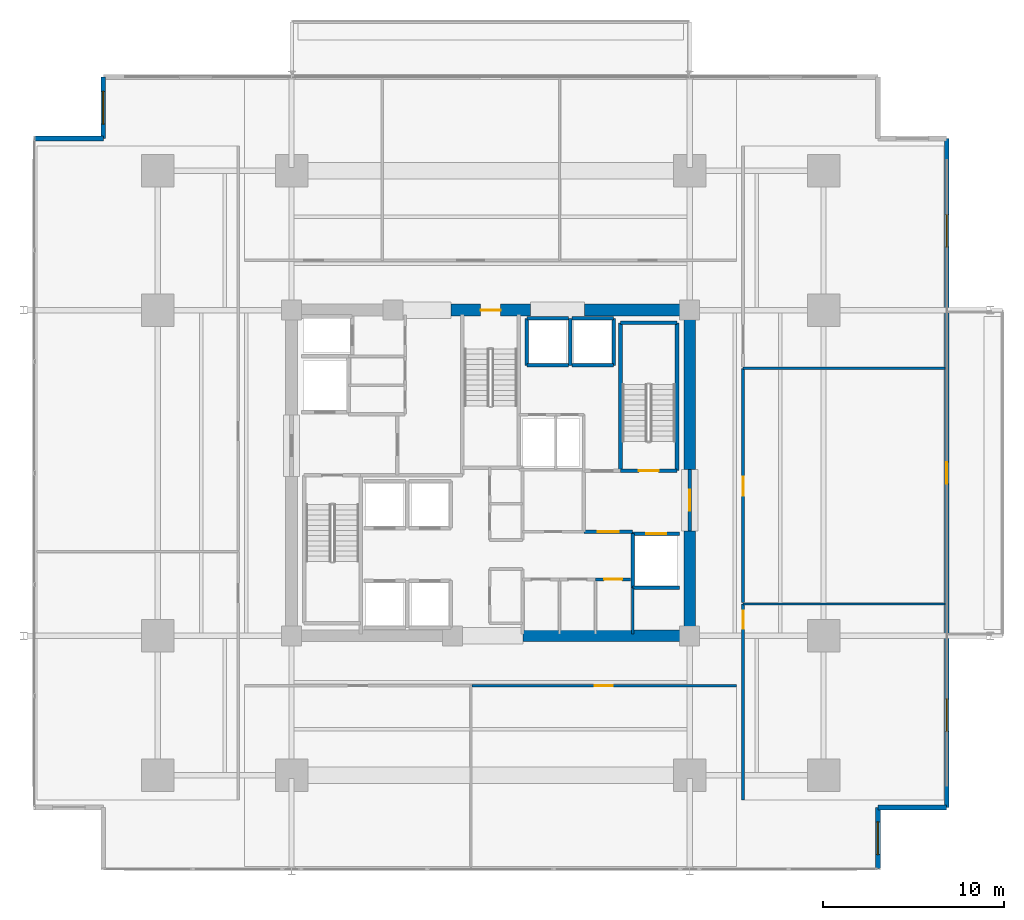
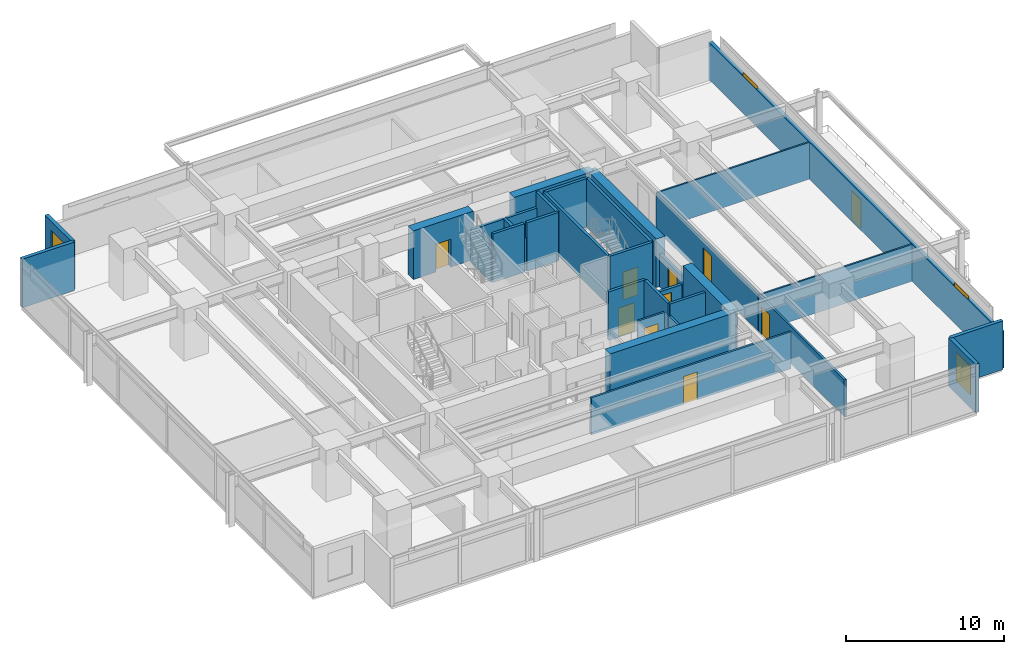
# One storey, part 15 of 20: 33 walls, 10 doors, 4 windows, 14 openings.
"""IFC4 building model written with IfcOpenShell, lengths in metres."""

from ifc_helpers import new_model, si_unit, direction, frame, frame_2d, origin, place, context, subcontext, project, spatial, rectangle, extrude, material, layer, layer_set, type_object, element, fill, save


model = new_model("IFC4")

# Units and contexts
model_context = context("Model", 3, precision=1e-05, world=origin(), true_north=direction((0.0, 1.0)))
body_context = subcontext(model_context, "Body", "Model", "MODEL_VIEW")
ifc_project = project(units=[si_unit("LENGTHUNIT", "METRE"), si_unit("AREAUNIT", "SQUARE_METRE"), si_unit("VOLUMEUNIT", "CUBIC_METRE"), si_unit("PLANEANGLEUNIT", "RADIAN"), si_unit("MASSUNIT", "GRAM", prefix="KILO")], contexts=[model_context])

# Site, building, storey
site_placement = place(None, origin())
site = spatial("IfcSite", under=ifc_project, at=site_placement, CompositionType="ELEMENT")
building_placement = place(site_placement, origin())
building = spatial("IfcBuilding", under=site, at=building_placement, Name="Kovane Verandah Tower", CompositionType="ELEMENT")
storey_placement = place(building_placement, frame((0.0, 0.0, 39.60009765625)))
storey = spatial("IfcBuildingStorey", under=building, at=storey_placement, Name="L08", CompositionType="ELEMENT", Elevation=39.60009765625)

# Wall
ifc_material_1 = material(Name="Fire-Rated Gypsum Stud Partition", Category="gypsum")
ifc_layer_1 = layer(ifc_material_1, 0.14990234375)
ifc_layer_set_1 = layer_set([ifc_layer_1], Name="Fire-Rated Gypsum Stud Partition")
wall_type_1 = type_object("IfcWallType", Name="WL-COR-150", PredefinedType="PARTITIONING", material=ifc_layer_set_1)
wall_1_placement = place(storey_placement, frame((47.85009765625, 18.60009765625, 0.0), z_axis=(0.0, 0.0, 1.0), x_axis=(0.0, 1.0, 0.0)))
element("IfcWall", 1, at=wall_1_placement, inside=storey, type_object=wall_type_1, Name="L08 East Core Support East Wall", PredefinedType="PARTITIONING", context=body_context, shape_type="SweptSolid", body=[
    extrude(rectangle(XDim=2.539794921875, YDim=0.14990234375, at=frame_2d((1.27001953125, 0.0))), origin(), (0.0, 0.0, 1.0), 2.849853515625),
])

# Wall, opening, door
wall_2_placement = place(storey_placement, frame((45.800048828125, 21.6201171875, 0.0), z_axis=(0.0, 0.0, 1.0), x_axis=(1.0, 0.0, 0.0)))
wall_2 = element("IfcWall", 2, at=wall_2_placement, inside=storey, type_object=wall_type_1, Name="L08 Quiet Wellness Room Partition", PredefinedType="PARTITIONING", context=body_context, shape_type="SweptSolid", body=[
    extrude(rectangle(XDim=1.93994140625, YDim=0.14990234375, at=frame_2d((0.969970703125, 0.0))), origin(), (0.0, 0.0, 1.0), 2.849853515625),
])
opening_1_placement = place(wall_2_placement, frame((0.469970703125, 0.0, 0.0)))
opening_1 = element("IfcOpeningElement", 3, at=opening_1_placement, cuts=wall_2, Name="Opening DR-L08-018", PredefinedType="OPENING", context=body_context, shape_type="SweptSolid", body=[
    extrude(rectangle(XDim=1.0, YDim=2.14990234375, at=frame_2d((0.5, 1.074951171875))), frame((0.0, 0.074951171875, 0.0), z_axis=(0.0, -1.0, 0.0), x_axis=(1.0, 0.0, 0.0)), (0.0, 0.0, 1.0), 0.14990234375),
])
ifc_material_2 = material(Name="FSC Spotted-Gum Timber Fire-Rated Office Door", Category="wood")
door_type_1 = type_object("IfcDoorType", Name="DR-OFF-1000", OperationType="SINGLE_SWING_LEFT", PredefinedType="DOOR", material=ifc_material_2)
door_1_placement = place(opening_1_placement, origin())
door_1 = element("IfcDoor", 4, at=door_1_placement, inside=storey, type_object=door_type_1, Name="L08 Quiet Wellness Room Door", OperationType="SINGLE_SWING_RIGHT", OverallHeight=2.14990234375, OverallWidth=1.0, PredefinedType="DOOR", context=body_context, shape_type="SweptSolid", body=[
    extrude(rectangle(XDim=1.0, YDim=2.14990234375, at=frame_2d((0.5, 1.074951171875))), frame((0.0, 0.02490234375, 0.0), z_axis=(0.0, -1.0, 0.0), x_axis=(1.0, 0.0, 0.0)), (0.0, 0.0, 1.0), 0.050048828125),
])
fill(opening_1, door_1)

wall_3_placement = place(storey_placement, frame((38.98193359375, 15.75, 0.0), z_axis=(0.0, 0.0, 1.0), x_axis=(1.0, 0.0, 0.0)))
wall_3 = element("IfcWall", 5, at=wall_3_placement, inside=storey, type_object=wall_type_1, Name="L08 Breakout Pantry S2 Corridor Partition", PredefinedType="PARTITIONING", context=body_context, shape_type="SweptSolid", body=[
    extrude(rectangle(XDim=14.6181640625, YDim=0.14990234375, at=frame_2d((7.30908203125, 0.0))), origin(), (0.0, 0.0, 1.0), 2.849853515625),
])
opening_2_placement = place(wall_3_placement, frame((6.759033203125, 0.0, 0.0)))
opening_2 = element("IfcOpeningElement", 6, at=opening_2_placement, cuts=wall_3, Name="Opening DR-L08-026", PredefinedType="OPENING", context=body_context, shape_type="SweptSolid", body=[
    extrude(rectangle(XDim=1.0, YDim=2.14990234375, at=frame_2d((0.5, 1.074951171875))), frame((0.0, 0.074951171875, 0.0), z_axis=(0.0, -1.0, 0.0), x_axis=(1.0, 0.0, 0.0)), (0.0, 0.0, 1.0), 0.14990234375),
])
door_2_placement = place(opening_2_placement, origin())
door_2 = element("IfcDoor", 7, at=door_2_placement, inside=storey, type_object=door_type_1, Name="L08 Breakout Pantry S2 Entrance Door", OperationType="SINGLE_SWING_RIGHT", OverallHeight=2.14990234375, OverallWidth=1.0, PredefinedType="DOOR", context=body_context, shape_type="SweptSolid", body=[
    extrude(rectangle(XDim=1.0, YDim=2.14990234375, at=frame_2d((0.5, 1.074951171875))), frame((0.0, 0.02490234375, 0.0), z_axis=(0.0, -1.0, 0.0), x_axis=(1.0, 0.0, 0.0)), (0.0, 0.0, 1.0), 0.050048828125),
])
fill(opening_2, door_2)

wall_4_placement = place(storey_placement, frame((53.949951171875, 9.417724609375, 0.0), z_axis=(0.0, 0.0, 1.0), x_axis=(0.0, 1.0, 0.0)))
wall_4 = element("IfcWall", 8, at=wall_4_placement, inside=storey, type_object=wall_type_1, Name="L08 Open Plan Office E1 Corridor Partition", PredefinedType="PARTITIONING", context=body_context, shape_type="SweptSolid", body=[
    extrude(rectangle(XDim=10.849365234375, YDim=0.14990234375, at=frame_2d((5.4248046875, 0.0))), origin(), (0.0, 0.0, 1.0), 2.849853515625),
])
opening_3_placement = place(wall_4_placement, frame((9.480712890625, 0.0, 0.0)))
opening_3 = element("IfcOpeningElement", 9, at=opening_3_placement, cuts=wall_4, Name="Opening DR-L08-013", PredefinedType="OPENING", context=body_context, shape_type="SweptSolid", body=[
    extrude(rectangle(XDim=1.0, YDim=2.14990234375, at=frame_2d((0.5, 1.074951171875))), frame((0.0, 0.074951171875, 0.0), z_axis=(0.0, -1.0, 0.0), x_axis=(1.0, 0.0, 0.0)), (0.0, 0.0, 1.0), 0.14990234375),
])
door_3_placement = place(opening_3_placement, origin())
door_3 = element("IfcDoor", 10, at=door_3_placement, inside=storey, type_object=door_type_1, Name="L08 Open Plan Office E1 Entrance Door", OperationType="SINGLE_SWING_LEFT", OverallHeight=2.14990234375, OverallWidth=1.0, PredefinedType="DOOR", context=body_context, shape_type="SweptSolid", body=[
    extrude(rectangle(XDim=1.0, YDim=2.14990234375, at=frame_2d((0.5, 1.074951171875))), frame((0.0, 0.02490234375, 0.0), z_axis=(0.0, -1.0, 0.0), x_axis=(1.0, 0.0, 0.0)), (0.0, 0.0, 1.0), 0.050048828125),
])
fill(opening_3, door_3)

wall_5_placement = place(storey_placement, frame((53.949951171875, 20.337158203125, 0.0), z_axis=(0.0, 0.0, 1.0), x_axis=(0.0, 1.0, 0.0)))
wall_5 = element("IfcWall", 11, at=wall_5_placement, inside=storey, type_object=wall_type_1, Name="L08 Executive Office E2 Corridor Partition", PredefinedType="PARTITIONING", context=body_context, shape_type="SweptSolid", body=[
    extrude(rectangle(XDim=12.94921875, YDim=0.14990234375, at=frame_2d((6.474609375, 0.0))), origin(), (0.0, 0.0, 1.0), 2.849853515625),
])
opening_4_placement = place(wall_5_placement, frame((5.91455078125, 0.0, 0.0)))
opening_4 = element("IfcOpeningElement", 12, at=opening_4_placement, cuts=wall_5, Name="Opening DR-L08-014", PredefinedType="OPENING", context=body_context, shape_type="SweptSolid", body=[
    extrude(rectangle(XDim=1.050048828125, YDim=2.199951171875, at=frame_2d((0.52490234375, 1.10009765625))), frame((0.0, 0.074951171875, 0.0), z_axis=(0.0, -1.0, 0.0), x_axis=(1.0, 0.0, 0.0)), (0.0, 0.0, 1.0), 0.14990234375),
])
ifc_material_3 = material(Name="FSC Blackbutt Timber Fire-Rated Executive Door", Category="wood")
door_type_2 = type_object("IfcDoorType", Name="DR-EXEC-1050", OperationType="SINGLE_SWING_LEFT", PredefinedType="DOOR", material=ifc_material_3)
door_4_placement = place(opening_4_placement, origin())
door_4 = element("IfcDoor", 13, at=door_4_placement, inside=storey, type_object=door_type_2, Name="L08 Executive Office E2 Entrance Door", OperationType="SINGLE_SWING_RIGHT", OverallHeight=2.199951171875, OverallWidth=1.050048828125, PredefinedType="DOOR", context=body_context, shape_type="SweptSolid", body=[
    extrude(rectangle(XDim=1.050048828125, YDim=2.199951171875, at=frame_2d((0.52490234375, 1.10009765625))), frame((0.0, 0.02490234375, 0.0), z_axis=(0.0, -1.0, 0.0), x_axis=(1.0, 0.0, 0.0)), (0.0, 0.0, 1.0), 0.050048828125),
])
fill(opening_4, door_4)

# Wall
ifc_material_4 = material(Name="Concrete C80/95", Category="concrete")
ifc_layer_2 = layer(ifc_material_4, 0.64990234375)
ifc_layer_set_2 = layer_set([ifc_layer_2], Name="Concrete C80/95")
wall_type_2 = type_object("IfcWallType", Name="WL-CORE-650", PredefinedType="SHEAR", material=ifc_layer_set_2)
wall_6_placement = place(storey_placement, frame((41.800048828125, 18.5, 0.0), z_axis=(0.0, 0.0, 1.0), x_axis=(1.0, 0.0, 0.0)))
element("IfcWall", 14, at=wall_6_placement, inside=storey, type_object=wall_type_2, Name="L08 Core Shear Wall CS-2", PredefinedType="SHEAR", context=body_context, shape_type="SweptSolid", body=[
    extrude(rectangle(XDim=9.199951171875, YDim=0.64990234375, at=frame_2d((4.60009765625, 0.0))), origin(), (0.0, 0.0, 1.0), 3.760009765625),
])

# Wall, opening, door
wall_7_placement = place(storey_placement, frame((37.800048828125, 36.5, 0.0), z_axis=(0.0, 0.0, 1.0), x_axis=(1.0, 0.0, 0.0)))
wall_7 = element("IfcWall", 15, at=wall_7_placement, inside=storey, type_object=wall_type_2, Name="L08 Core Shear Wall CN-2", PredefinedType="SHEAR", context=body_context, shape_type="SweptSolid", body=[
    extrude(rectangle(XDim=4.39990234375, YDim=0.64990234375, at=frame_2d((2.199951171875, 0.0))), origin(), (0.0, 0.0, 1.0), 3.760009765625),
])
opening_5_placement = place(wall_7_placement, frame((1.64990234375, 0.0, 0.0)))
opening_5 = element("IfcOpeningElement", 16, at=opening_5_placement, cuts=wall_7, Name="Opening DR-L08-011", PredefinedType="OPENING", context=body_context, shape_type="SweptSolid", body=[
    extrude(rectangle(XDim=1.10009765625, YDim=2.14990234375, at=frame_2d((0.550048828125, 1.074951171875))), frame((0.0, 0.324951171875, 0.0), z_axis=(0.0, -1.0, 0.0), x_axis=(1.0, 0.0, 0.0)), (0.0, 0.0, 1.0), 0.64990234375),
])
ifc_material_5 = material(Name="Fire-Rated Steel Exit Door", Category="steel")
door_type_3 = type_object("IfcDoorType", Name="DR-STAIR-1100", OperationType="SINGLE_SWING_LEFT", PredefinedType="DOOR", material=ifc_material_5)
door_5_placement = place(opening_5_placement, origin())
door_5 = element("IfcDoor", 17, at=door_5_placement, inside=storey, type_object=door_type_3, Name="L08 ST-03 Fire Exit Stair Door", OperationType="SINGLE_SWING_LEFT", OverallHeight=2.14990234375, OverallWidth=1.10009765625, PredefinedType="DOOR", context=body_context, shape_type="SweptSolid", body=[
    extrude(rectangle(XDim=1.10009765625, YDim=2.14990234375, at=frame_2d((0.550048828125, 1.074951171875))), frame((0.0, 0.02490234375, 0.0), z_axis=(0.0, -1.0, 0.0), x_axis=(1.0, 0.0, 0.0)), (0.0, 0.0, 1.0), 0.050048828125),
])
fill(opening_5, door_5)

# Walls
for number, where, z_axis, x_axis, name in (
    (18, (45.199951171875, 36.5, 0.0), (0.0, 0.0, 1.0), (1.0, 0.0, 0.0), "L08 Core Shear Wall CN-3"),
    (19, (51.0, 18.5, 0.0), (0.0, 0.0, 1.0), (0.0, 1.0, 0.0), "L08 Core Shear Wall CE-1"),
):
    element("IfcWall", number, at=place(storey_placement, frame(where, z_axis=z_axis, x_axis=x_axis)), inside=storey, type_object=wall_type_2, Name=name, PredefinedType="SHEAR", context=body_context, shape_type="SweptSolid", body=[
        extrude(rectangle(XDim=5.800048828125, YDim=0.64990234375, at=frame_2d((2.89990234375, 0.0))), origin(), (0.0, 0.0, 1.0), 3.760009765625),
    ])
wall_8_placement = place(storey_placement, frame((51.0, 27.699951171875, 0.0), z_axis=(0.0, 0.0, 1.0), x_axis=(0.0, 1.0, 0.0)))
element("IfcWall", 20, at=wall_8_placement, inside=storey, type_object=wall_type_2, Name="L08 Core Shear Wall CE-2", PredefinedType="SHEAR", context=body_context, shape_type="SweptSolid", body=[
    extrude(rectangle(XDim=8.800048828125, YDim=0.64990234375, at=frame_2d((4.39990234375, 0.0))), origin(), (0.0, 0.0, 1.0), 3.760009765625),
])

# Wall, opening, door
ifc_material_6 = material(Name="Concrete C45/55 Fire Wall", Category="concrete")
ifc_layer_3 = layer(ifc_material_6, 0.199951171875)
ifc_layer_set_3 = layer_set([ifc_layer_3], Name="Concrete C45/55 Fire Wall")
wall_type_3 = type_object("IfcWallType", Name="WL-FFL-200", PredefinedType="PARTITIONING", material=ifc_layer_set_3)
wall_9_placement = place(storey_placement, frame((45.14990234375, 24.25, 0.0), z_axis=(0.0, 0.0, 1.0), x_axis=(1.0, 0.0, 0.0)))
wall_9 = element("IfcWall", 21, at=wall_9_placement, inside=storey, type_object=wall_type_3, Name="W-L08-FFLE-S", PredefinedType="PARTITIONING", context=body_context, shape_type="SweptSolid", body=[
    extrude(rectangle(XDim=2.7001953125, YDim=0.199951171875, at=frame_2d((1.35009765625, 0.0))), origin(), (0.0, 0.0, 1.0), 3.760009765625),
])
opening_6_placement = place(wall_9_placement, frame((0.77490234375, 0.0, 0.0)))
opening_6 = element("IfcOpeningElement", 22, at=opening_6_placement, cuts=wall_9, Name="Opening DR-L08-003", PredefinedType="OPENING", context=body_context, shape_type="SweptSolid", body=[
    extrude(rectangle(XDim=1.14990234375, YDim=2.199951171875, at=frame_2d((0.574951171875, 1.10009765625))), frame((0.0, 0.10009765625, 0.0), z_axis=(0.0, -1.0, 0.0), x_axis=(1.0, 0.0, 0.0)), (0.0, 0.0, 1.0), 0.199951171875),
])
ifc_material_7 = material(Name="Smoke-Sealed Firefighting Lobby Door", Category="steel")
door_type_4 = type_object("IfcDoorType", Name="DR-FFL-1150", OperationType="SINGLE_SWING_LEFT", PredefinedType="DOOR", material=ifc_material_7)
door_6_placement = place(opening_6_placement, origin())
door_6 = element("IfcDoor", 23, at=door_6_placement, inside=storey, type_object=door_type_4, Name="L08 East Firefighting Lobby Inner Door", OperationType="SINGLE_SWING_RIGHT", OverallHeight=2.199951171875, OverallWidth=1.14990234375, PredefinedType="DOOR", context=body_context, shape_type="SweptSolid", body=[
    extrude(rectangle(XDim=1.14990234375, YDim=2.199951171875, at=frame_2d((0.574951171875, 1.10009765625))), frame((0.0, 0.02490234375, 0.0), z_axis=(0.0, -1.0, 0.0), x_axis=(1.0, 0.0, 0.0)), (0.0, 0.0, 1.0), 0.050048828125),
])
fill(opening_6, door_6)

wall_10_placement = place(storey_placement, frame((51.0, 24.300048828125, 0.0), z_axis=(0.0, 0.0, 1.0), x_axis=(0.0, 1.0, 0.0)))
wall_10 = element("IfcWall", 24, at=wall_10_placement, inside=storey, type_object=wall_type_3, Name="W-L08-FFLE-OUT", PredefinedType="PARTITIONING", context=body_context, shape_type="SweptSolid", body=[
    extrude(rectangle(XDim=3.39990234375, YDim=0.199951171875, at=frame_2d((1.699951171875, 0.0))), origin(), (0.0, 0.0, 1.0), 2.539794921875),
])
opening_7_placement = place(wall_10_placement, frame((1.125, 0.0, 0.0)))
opening_7 = element("IfcOpeningElement", 25, at=opening_7_placement, cuts=wall_10, Name="Opening DR-L08-005", PredefinedType="OPENING", context=body_context, shape_type="SweptSolid", body=[
    extrude(rectangle(XDim=1.14990234375, YDim=2.199951171875, at=frame_2d((0.574951171875, 1.10009765625))), frame((0.0, 0.10009765625, 0.0), z_axis=(0.0, -1.0, 0.0), x_axis=(1.0, 0.0, 0.0)), (0.0, 0.0, 1.0), 0.199951171875),
])
door_7_placement = place(opening_7_placement, origin())
door_7 = element("IfcDoor", 26, at=door_7_placement, inside=storey, type_object=door_type_4, Name="L08 East Firefighting Lobby Corridor Door", OperationType="SINGLE_SWING_LEFT", OverallHeight=2.199951171875, OverallWidth=1.14990234375, PredefinedType="DOOR", context=body_context, shape_type="SweptSolid", body=[
    extrude(rectangle(XDim=1.14990234375, YDim=2.199951171875, at=frame_2d((0.574951171875, 1.10009765625))), frame((0.0, 0.02490234375, 0.0), z_axis=(0.0, -1.0, 0.0), x_axis=(1.0, 0.0, 0.0)), (0.0, 0.0, 1.0), 0.050048828125),
])
fill(opening_7, door_7)

# Wall
ifc_material_8 = material(Name="Concrete C45/55 Lift Shaft Wall", Category="concrete")
ifc_layer_4 = layer(ifc_material_8, 0.199951171875)
ifc_layer_set_4 = layer_set([ifc_layer_4], Name="Concrete C45/55 Lift Shaft Wall")
wall_type_4 = type_object("IfcWallType", Name="WL-LIFT-200", PredefinedType="SOLIDWALL", material=ifc_layer_set_4)
wall_11_placement = place(storey_placement, frame((47.85009765625, 21.14990234375, 0.0), z_axis=(0.0, 0.0, 1.0), x_axis=(1.0, 0.0, 0.0)))
element("IfcWall", 27, at=wall_11_placement, inside=storey, type_object=wall_type_4, Name="L08 Lift FL-02 S Shaft Wall", PredefinedType="SOLIDWALL", context=body_context, shape_type="SweptSolid", body=[
    extrude(rectangle(XDim=2.599853515625, YDim=0.199951171875, at=frame_2d((1.2998046875, 0.0))), origin(), (0.0, 0.0, 1.0), 3.760009765625),
])

# Wall, opening, door
wall_12_placement = place(storey_placement, frame((50.449951171875, 24.14990234375, 0.0), z_axis=(0.0, 0.0, 1.0), x_axis=(-1.0, 0.0, 0.0)))
wall_12 = element("IfcWall", 28, at=wall_12_placement, inside=storey, type_object=wall_type_4, Name="L08 Lift FL-02 N Shaft Wall", PredefinedType="SOLIDWALL", context=body_context, shape_type="SweptSolid", body=[
    extrude(rectangle(XDim=2.599853515625, YDim=0.199951171875, at=frame_2d((1.2998046875, 0.0))), origin(), (0.0, 0.0, 1.0), 2.539794921875),
])
opening_8_placement = place(wall_12_placement, frame((0.75, 0.0, 0.0)))
opening_8 = element("IfcOpeningElement", 29, at=opening_8_placement, cuts=wall_12, Name="Opening LD-L08-002", PredefinedType="OPENING", context=body_context, shape_type="SweptSolid", body=[
    extrude(rectangle(XDim=1.10009765625, YDim=2.199951171875, at=frame_2d((0.550048828125, 1.10009765625))), frame((0.0, 0.10009765625, 0.0), z_axis=(0.0, -1.0, 0.0), x_axis=(1.0, 0.0, 0.0)), (0.0, 0.0, 1.0), 0.199951171875),
])
ifc_material_9 = material(Name="Brushed Stainless Steel Sliding Lift Landing Door", Category="steel")
door_type_5 = type_object("IfcDoorType", Name="DR-LIFT-1100", OperationType="SLIDING_TO_RIGHT", PredefinedType="DOOR", material=ifc_material_9)
door_8_placement = place(opening_8_placement, origin())
door_8 = element("IfcDoor", 30, at=door_8_placement, inside=storey, type_object=door_type_5, Name="L08 Lift FL-02 Sliding Landing Door", OperationType="SLIDING_TO_RIGHT", OverallHeight=2.199951171875, OverallWidth=1.10009765625, PredefinedType="DOOR", context=body_context, shape_type="SweptSolid", body=[
    extrude(rectangle(XDim=1.10009765625, YDim=2.199951171875, at=frame_2d((0.550048828125, 1.10009765625))), frame((0.0, 0.02490234375, 0.0), z_axis=(0.0, -1.0, 0.0), x_axis=(1.0, 0.0, 0.0)), (0.0, 0.0, 1.0), 0.050048828125),
])
fill(opening_8, door_8)

# Walls
wall_13_placement = place(storey_placement, frame((47.85009765625, 24.14990234375, 0.0), z_axis=(0.0, 0.0, 1.0), x_axis=(0.0, -1.0, 0.0)))
element("IfcWall", 31, at=wall_13_placement, inside=storey, type_object=wall_type_4, Name="L08 Lift FL-02 W Shaft Wall", PredefinedType="SOLIDWALL", context=body_context, shape_type="SweptSolid", body=[
    extrude(rectangle(XDim=3.0, YDim=0.199951171875, at=frame_2d((1.5, 0.0))), origin(), (0.0, 0.0, 1.0), 3.760009765625),
])
wall_14_placement = place(storey_placement, frame((42.0, 33.449951171875, 0.0), z_axis=(0.0, 0.0, 1.0), x_axis=(1.0, 0.0, 0.0)))
element("IfcWall", 32, at=wall_14_placement, inside=storey, type_object=wall_type_4, Name="L08 Lift SL-01 S Shaft Wall", PredefinedType="SOLIDWALL", context=body_context, shape_type="SweptSolid", body=[
    extrude(rectangle(XDim=2.300048828125, YDim=0.199951171875, at=frame_2d((1.14990234375, 0.0))), origin(), (0.0, 0.0, 1.0), 3.760009765625),
])
wall_15_placement = place(storey_placement, frame((44.300048828125, 36.050048828125, 0.0), z_axis=(0.0, 0.0, 1.0), x_axis=(-1.0, 0.0, 0.0)))
element("IfcWall", 33, at=wall_15_placement, inside=storey, type_object=wall_type_4, Name="L08 Lift SL-01 N Shaft Wall", PredefinedType="SOLIDWALL", context=body_context, shape_type="SweptSolid", body=[
    extrude(rectangle(XDim=2.300048828125, YDim=0.199951171875, at=frame_2d((1.14990234375, 0.0))), origin(), (0.0, 0.0, 1.0), 2.539794921875),
])
for number, where, z_axis, x_axis, name in (
    (34, (42.0, 36.050048828125, 0.0), (0.0, 0.0, 1.0), (0.0, -1.0, 0.0), "L08 Lift SL-01 W Shaft Wall"),
    (35, (44.39990234375, 33.449951171875, 0.0), (0.0, 0.0, 1.0), (0.0, 1.0, 0.0), "L08 Lift OL-01 and SL-01 Shared Shaft Wall"),
):
    element("IfcWall", number, at=place(storey_placement, frame(where, z_axis=z_axis, x_axis=x_axis)), inside=storey, type_object=wall_type_4, Name=name, PredefinedType="SOLIDWALL", context=body_context, shape_type="SweptSolid", body=[
        extrude(rectangle(XDim=2.60009765625, YDim=0.199951171875, at=frame_2d((1.300048828125, 0.0))), origin(), (0.0, 0.0, 1.0), 2.539794921875),
    ])
wall_16_placement = place(storey_placement, frame((44.5, 33.449951171875, 0.0), z_axis=(0.0, 0.0, 1.0), x_axis=(1.0, 0.0, 0.0)))
element("IfcWall", 36, at=wall_16_placement, inside=storey, type_object=wall_type_4, Name="L08 Lift OL-01 S Shaft Wall", PredefinedType="SOLIDWALL", context=body_context, shape_type="SweptSolid", body=[
    extrude(rectangle(XDim=2.300048828125, YDim=0.199951171875, at=frame_2d((1.14990234375, 0.0))), origin(), (0.0, 0.0, 1.0), 3.760009765625),
])
wall_17_placement = place(storey_placement, frame((46.800048828125, 36.050048828125, 0.0), z_axis=(0.0, 0.0, 1.0), x_axis=(-1.0, 0.0, 0.0)))
element("IfcWall", 37, at=wall_17_placement, inside=storey, type_object=wall_type_4, Name="L08 Lift OL-01 N Shaft Wall", PredefinedType="SOLIDWALL", context=body_context, shape_type="SweptSolid", body=[
    extrude(rectangle(XDim=2.300048828125, YDim=0.199951171875, at=frame_2d((1.14990234375, 0.0))), origin(), (0.0, 0.0, 1.0), 2.539794921875),
])
wall_18_placement = place(storey_placement, frame((46.800048828125, 33.449951171875, 0.0), z_axis=(0.0, 0.0, 1.0), x_axis=(0.0, 1.0, 0.0)))
element("IfcWall", 38, at=wall_18_placement, inside=storey, type_object=wall_type_4, Name="L08 Lift OL-01 E Shaft Wall", PredefinedType="SOLIDWALL", context=body_context, shape_type="SweptSolid", body=[
    extrude(rectangle(XDim=2.60009765625, YDim=0.199951171875, at=frame_2d((1.300048828125, 0.0))), origin(), (0.0, 0.0, 1.0), 3.760009765625),
])
ifc_material_10 = material(Name="Acoustic Fire-Rated Gypsum Partition", Category="gypsum")
ifc_layer_5 = layer(ifc_material_10, 0.1201171875)
ifc_layer_set_5 = layer_set([ifc_layer_5], Name="Acoustic Fire-Rated Gypsum Partition")
wall_type_5 = type_object("IfcWallType", Name="WL-PART-120", PredefinedType="PARTITIONING", material=ifc_layer_set_5)
for number, where, z_axis, x_axis, name in (
    (39, (53.949951171875, 20.26708984375, 0.0), (0.0, 0.0, 1.0), (1.0, 0.0, 0.0), "L08 Open Plan Office E1 Dividing Partition"),
    (40, (53.949951171875, 33.286376953125, 0.0), (0.0, 0.0, 1.0), (1.0, 0.0, 0.0), "L08 Executive Office E2 Dividing Partition"),
):
    element("IfcWall", number, at=place(storey_placement, frame(where, z_axis=z_axis, x_axis=x_axis)), inside=storey, type_object=wall_type_5, Name=name, PredefinedType="PARTITIONING", context=body_context, shape_type="SweptSolid", body=[
        extrude(rectangle(XDim=11.1533203125, YDim=0.1201171875, at=frame_2d((5.57666015625, 0.0))), origin(), (0.0, 0.0, 1.0), 2.849853515625),
    ])
ifc_material_11 = material(Name="Concrete C45/55", Category="concrete")
ifc_layer_6 = layer(ifc_material_11, 0.199951171875)
ifc_layer_set_6 = layer_set([ifc_layer_6], Name="Concrete C45/55")
wall_type_6 = type_object("IfcWallType", Name="WL-SHAFT-200", PredefinedType="SOLIDWALL", material=ifc_layer_set_6)
wall_19_placement = place(storey_placement, frame((50.300048828125, 27.64990234375, 0.0), z_axis=(0.0, 0.0, 1.0), x_axis=(0.0, 1.0, 0.0)))
element("IfcWall", 41, at=wall_19_placement, inside=storey, type_object=wall_type_6, Name="W-L08-ST02-E", PredefinedType="SOLIDWALL", context=body_context, shape_type="SweptSolid", body=[
    extrude(rectangle(XDim=8.150146484375, YDim=0.199951171875, at=frame_2d((4.0751953125, 0.0))), origin(), (0.0, 0.0, 1.0), 3.760009765625),
])
wall_20_placement = place(storey_placement, frame((47.179931640625, 35.800048828125, 0.0), z_axis=(0.0, 0.0, 1.0), x_axis=(1.0, 0.0, 0.0)))
element("IfcWall", 42, at=wall_20_placement, inside=storey, type_object=wall_type_6, Name="W-L08-ST02-N", PredefinedType="SOLIDWALL", context=body_context, shape_type="SweptSolid", body=[
    extrude(rectangle(XDim=3.1201171875, YDim=0.199951171875, at=frame_2d((1.56005859375, 0.0))), origin(), (0.0, 0.0, 1.0), 3.760009765625),
])
wall_21_placement = place(storey_placement, frame((47.179931640625, 27.6201171875, 0.0), z_axis=(0.0, 0.0, 1.0), x_axis=(0.0, 1.0, 0.0)))
element("IfcWall", 43, at=wall_21_placement, inside=storey, type_object=wall_type_6, Name="W-L08-ST02-W", PredefinedType="SOLIDWALL", context=body_context, shape_type="SweptSolid", body=[
    extrude(rectangle(XDim=8.179931640625, YDim=0.199951171875, at=frame_2d((4.08984375, 0.0))), origin(), (0.0, 0.0, 1.0), 3.760009765625),
])

# Wall, opening, door
wall_22_placement = place(storey_placement, frame((47.179931640625, 27.6201171875, 0.0), z_axis=(0.0, 0.0, 1.0), x_axis=(1.0, 0.0, 0.0)))
wall_22 = element("IfcWall", 44, at=wall_22_placement, inside=storey, type_object=wall_type_6, Name="W-L08-ST02-S", PredefinedType="SOLIDWALL", context=body_context, shape_type="SweptSolid", body=[
    extrude(rectangle(XDim=3.1201171875, YDim=0.199951171875, at=frame_2d((1.56005859375, 0.0))), origin(), (0.0, 0.0, 1.0), 3.760009765625),
])
opening_9_placement = place(wall_22_placement, frame((1.010009765625, 0.0, 0.0)))
opening_9 = element("IfcOpeningElement", 45, at=opening_9_placement, cuts=wall_22, Name="Opening DR-L08-010", PredefinedType="OPENING", context=body_context, shape_type="SweptSolid", body=[
    extrude(rectangle(XDim=1.10009765625, YDim=2.14990234375, at=frame_2d((0.550048828125, 1.074951171875))), frame((0.0, 0.10009765625, 0.0), z_axis=(0.0, -1.0, 0.0), x_axis=(1.0, 0.0, 0.0)), (0.0, 0.0, 1.0), 0.199951171875),
])
door_9_placement = place(opening_9_placement, origin())
door_9 = element("IfcDoor", 46, at=door_9_placement, inside=storey, type_object=door_type_3, Name="L08 ST-02 Fire Exit Stair Door", OperationType="SINGLE_SWING_RIGHT", OverallHeight=2.14990234375, OverallWidth=1.10009765625, PredefinedType="DOOR", context=body_context, shape_type="SweptSolid", body=[
    extrude(rectangle(XDim=1.10009765625, YDim=2.14990234375, at=frame_2d((0.550048828125, 1.074951171875))), frame((0.0, 0.02490234375, 0.0), z_axis=(0.0, -1.0, 0.0), x_axis=(1.0, 0.0, 0.0)), (0.0, 0.0, 1.0), 0.050048828125),
])
fill(opening_9, door_9)

# Wall, openings, door, windows
ifc_material_12 = material(Name="Concrete C45/55 Insulated Spandrel Wall", Category="concrete")
ifc_layer_7 = layer(ifc_material_12, 0.260009765625)
ifc_layer_set_7 = layer_set([ifc_layer_7], Name="Concrete C45/55 Insulated Spandrel Wall")
wall_type_7 = type_object("IfcWallType", Name="WL-SPANDREL-260", PredefinedType="PARAPET", material=ifc_layer_set_7)
wall_23_placement = place(storey_placement, frame((65.203125, 9.017822265625, 0.0), z_axis=(0.0, 0.0, 1.0), x_axis=(0.0, 1.0, 0.0)))
wall_23 = element("IfcWall", 47, at=wall_23_placement, inside=storey, type_object=wall_type_7, Name="L08 E Verandah Access Facade Wall", PredefinedType="PARAPET", context=body_context, shape_type="SweptSolid", body=[
    extrude(rectangle(XDim=36.96435546875, YDim=0.260009765625, at=frame_2d((18.482177734375, 0.0))), origin(), (0.0, 0.0, 1.0), 2.88916015625),
])
opening_10_placement = place(wall_23_placement, frame((4.199951171875, 0.0, 0.85009765625)))
opening_10 = element("IfcOpeningElement", 48, at=opening_10_placement, cuts=wall_23, Name="Opening W-03", PredefinedType="OPENING", context=body_context, shape_type="SweptSolid", body=[
    extrude(rectangle(XDim=1.800048828125, YDim=2.199951171875, at=frame_2d((0.89990234375, 1.10009765625))), frame((0.0, 0.1298828125, 0.0), z_axis=(0.0, -1.0, 0.0), x_axis=(1.0, 0.0, 0.0)), (0.0, 0.0, 1.0), 0.260009765625),
])
opening_11_placement = place(wall_23_placement, frame((17.882080078125, 0.0, 0.0)))
opening_11 = element("IfcOpeningElement", 49, at=opening_11_placement, cuts=wall_23, Name="Opening DR-L08-001", PredefinedType="OPENING", context=body_context, shape_type="SweptSolid", body=[
    extrude(rectangle(XDim=1.199951171875, YDim=2.199951171875, at=frame_2d((0.60009765625, 1.10009765625))), frame((0.0, 0.1298828125, 0.0), z_axis=(0.0, -1.0, 0.0), x_axis=(1.0, 0.0, 0.0)), (0.0, 0.0, 1.0), 0.260009765625),
])
opening_12_placement = place(wall_23_placement, frame((30.96435546875, 0.0, 0.85009765625)))
opening_12 = element("IfcOpeningElement", 50, at=opening_12_placement, cuts=wall_23, Name="Opening W-03", PredefinedType="OPENING", context=body_context, shape_type="SweptSolid", body=[
    extrude(rectangle(XDim=1.800048828125, YDim=2.199951171875, at=frame_2d((0.89990234375, 1.10009765625))), frame((0.0, 0.1298828125, 0.0), z_axis=(0.0, -1.0, 0.0), x_axis=(1.0, 0.0, 0.0)), (0.0, 0.0, 1.0), 0.260009765625),
])
ifc_material_13 = material(Name="Cyclone-Rated Glazed Balcony Leaf Door", Category="aluminium")
door_type_6 = type_object("IfcDoorType", Name="DR-BAL-1200x2200", OperationType="SINGLE_SWING_LEFT", PredefinedType="DOOR", material=ifc_material_13)
door_10_placement = place(opening_11_placement, origin())
door_10 = element("IfcDoor", 51, at=door_10_placement, inside=storey, type_object=door_type_6, Name="L08 E Planted Balcony Access Door", OperationType="SINGLE_SWING_LEFT", OverallHeight=2.199951171875, OverallWidth=1.199951171875, PredefinedType="DOOR", context=body_context, shape_type="SweptSolid", body=[
    extrude(rectangle(XDim=1.199951171875, YDim=2.199951171875, at=frame_2d((0.60009765625, 1.10009765625))), frame((0.0, 0.02490234375, 0.0), z_axis=(0.0, -1.0, 0.0), x_axis=(1.0, 0.0, 0.0)), (0.0, 0.0, 1.0), 0.050048828125),
])
fill(opening_11, door_10)
ifc_material_14 = material(Name="Clear Low-E Laminated Double Glazing in Anodised Frame", Category="glass")
window_type = type_object("IfcWindowType", Name="WN-NOTCH-1800x2200", PartitioningType="SINGLE_PANEL", PredefinedType="WINDOW", material=ifc_material_14)
window_1_placement = place(opening_10_placement, origin())
window_1 = element("IfcWindow", 52, at=window_1_placement, inside=storey, type_object=window_type, Name="L08 E Verandah View Window 1", OverallHeight=2.199951171875, OverallWidth=1.800048828125, PartitioningType="SINGLE_PANEL", PredefinedType="WINDOW", context=body_context, shape_type="SweptSolid", body=[
    extrude(rectangle(XDim=1.800048828125, YDim=2.199951171875, at=frame_2d((0.89990234375, 1.10009765625))), frame((0.0, 0.030029296875, 0.0), z_axis=(0.0, -1.0, 0.0), x_axis=(1.0, 0.0, 0.0)), (0.0, 0.0, 1.0), 0.06005859375),
])
fill(opening_10, window_1)
window_2_placement = place(opening_12_placement, origin())
window_2 = element("IfcWindow", 53, at=window_2_placement, inside=storey, type_object=window_type, Name="L08 E Verandah View Window 2", OverallHeight=2.199951171875, OverallWidth=1.800048828125, PartitioningType="SINGLE_PANEL", PredefinedType="WINDOW", context=body_context, shape_type="SweptSolid", body=[
    extrude(rectangle(XDim=1.800048828125, YDim=2.199951171875, at=frame_2d((0.89990234375, 1.10009765625))), frame((0.0, 0.030029296875, 0.0), z_axis=(0.0, -1.0, 0.0), x_axis=(1.0, 0.0, 0.0)), (0.0, 0.0, 1.0), 0.06005859375),
])
fill(opening_12, window_2)

# Wall, opening, window
wall_24_placement = place(storey_placement, frame((61.4033203125, 5.617919921875, 0.0), z_axis=(0.0, 0.0, 1.0), x_axis=(0.0, 1.0, 0.0)))
wall_24 = element("IfcWall", 54, at=wall_24_placement, inside=storey, type_object=wall_type_7, Name="L08 SE Notch Cheek Wall 1", PredefinedType="PARAPET", context=body_context, shape_type="SweptSolid", body=[
    extrude(rectangle(XDim=3.39990234375, YDim=0.260009765625, at=frame_2d((1.699951171875, 0.0))), origin(), (0.0, 0.0, 1.0), 3.760009765625),
])
opening_13_placement = place(wall_24_placement, frame((0.800048828125, 0.0, 0.85009765625)))
opening_13 = element("IfcOpeningElement", 55, at=opening_13_placement, cuts=wall_24, Name="Opening W-03", PredefinedType="OPENING", context=body_context, shape_type="SweptSolid", body=[
    extrude(rectangle(XDim=1.800048828125, YDim=2.199951171875, at=frame_2d((0.89990234375, 1.10009765625))), frame((0.0, 0.1298828125, 0.0), z_axis=(0.0, -1.0, 0.0), x_axis=(1.0, 0.0, 0.0)), (0.0, 0.0, 1.0), 0.260009765625),
])
window_3_placement = place(opening_13_placement, origin())
window_3 = element("IfcWindow", 56, at=window_3_placement, inside=storey, type_object=window_type, Name="L08 SE Re-Entrant Corner Operable Window", OverallHeight=2.199951171875, OverallWidth=1.800048828125, PartitioningType="SINGLE_PANEL", PredefinedType="WINDOW", context=body_context, shape_type="SweptSolid", body=[
    extrude(rectangle(XDim=1.800048828125, YDim=2.199951171875, at=frame_2d((0.89990234375, 1.10009765625))), frame((0.0, 0.030029296875, 0.0), z_axis=(0.0, -1.0, 0.0), x_axis=(1.0, 0.0, 0.0)), (0.0, 0.0, 1.0), 0.06005859375),
])
fill(opening_13, window_3)

# Wall
wall_25_placement = place(storey_placement, frame((61.4033203125, 9.017822265625, 0.0), z_axis=(0.0, 0.0, 1.0), x_axis=(1.0, 0.0, 0.0)))
element("IfcWall", 57, at=wall_25_placement, inside=storey, type_object=wall_type_7, Name="L08 SE Notch Cheek Wall 2", PredefinedType="PARAPET", context=body_context, shape_type="SweptSolid", body=[
    extrude(rectangle(XDim=3.7998046875, YDim=0.260009765625, at=frame_2d((1.89990234375, 0.0))), origin(), (0.0, 0.0, 1.0), 3.760009765625),
])

# Wall, opening, window
wall_26_placement = place(storey_placement, frame((18.5966796875, 49.382080078125, 0.0), z_axis=(0.0, 0.0, 1.0), x_axis=(0.0, -1.0, 0.0)))
wall_26 = element("IfcWall", 58, at=wall_26_placement, inside=storey, type_object=wall_type_7, Name="L08 NW Notch Cheek Wall 1", PredefinedType="PARAPET", context=body_context, shape_type="SweptSolid", body=[
    extrude(rectangle(XDim=3.39990234375, YDim=0.260009765625, at=frame_2d((1.699951171875, 0.0))), origin(), (0.0, 0.0, 1.0), 3.760009765625),
])
opening_14_placement = place(wall_26_placement, frame((0.800048828125, 0.0, 0.85009765625)))
opening_14 = element("IfcOpeningElement", 59, at=opening_14_placement, cuts=wall_26, Name="Opening W-03", PredefinedType="OPENING", context=body_context, shape_type="SweptSolid", body=[
    extrude(rectangle(XDim=1.800048828125, YDim=2.199951171875, at=frame_2d((0.89990234375, 1.10009765625))), frame((0.0, 0.1298828125, 0.0), z_axis=(0.0, -1.0, 0.0), x_axis=(1.0, 0.0, 0.0)), (0.0, 0.0, 1.0), 0.260009765625),
])
window_4_placement = place(opening_14_placement, origin())
window_4 = element("IfcWindow", 60, at=window_4_placement, inside=storey, type_object=window_type, Name="L08 NW Re-Entrant Corner Operable Window", OverallHeight=2.199951171875, OverallWidth=1.800048828125, PartitioningType="SINGLE_PANEL", PredefinedType="WINDOW", context=body_context, shape_type="SweptSolid", body=[
    extrude(rectangle(XDim=1.800048828125, YDim=2.199951171875, at=frame_2d((0.89990234375, 1.10009765625))), frame((0.0, 0.030029296875, 0.0), z_axis=(0.0, -1.0, 0.0), x_axis=(1.0, 0.0, 0.0)), (0.0, 0.0, 1.0), 0.06005859375),
])
fill(opening_14, window_4)

# Wall
wall_27_placement = place(storey_placement, frame((18.5966796875, 45.982177734375, 0.0), z_axis=(0.0, 0.0, 1.0), x_axis=(-1.0, 0.0, 0.0)))
element("IfcWall", 61, at=wall_27_placement, inside=storey, type_object=wall_type_7, Name="L08 NW Notch Cheek Wall 2", PredefinedType="PARAPET", context=body_context, shape_type="SweptSolid", body=[
    extrude(rectangle(XDim=3.7998046875, YDim=0.260009765625, at=frame_2d((1.89990234375, 0.0))), origin(), (0.0, 0.0, 1.0), 3.760009765625),
])

save(model, "model.ifc")
